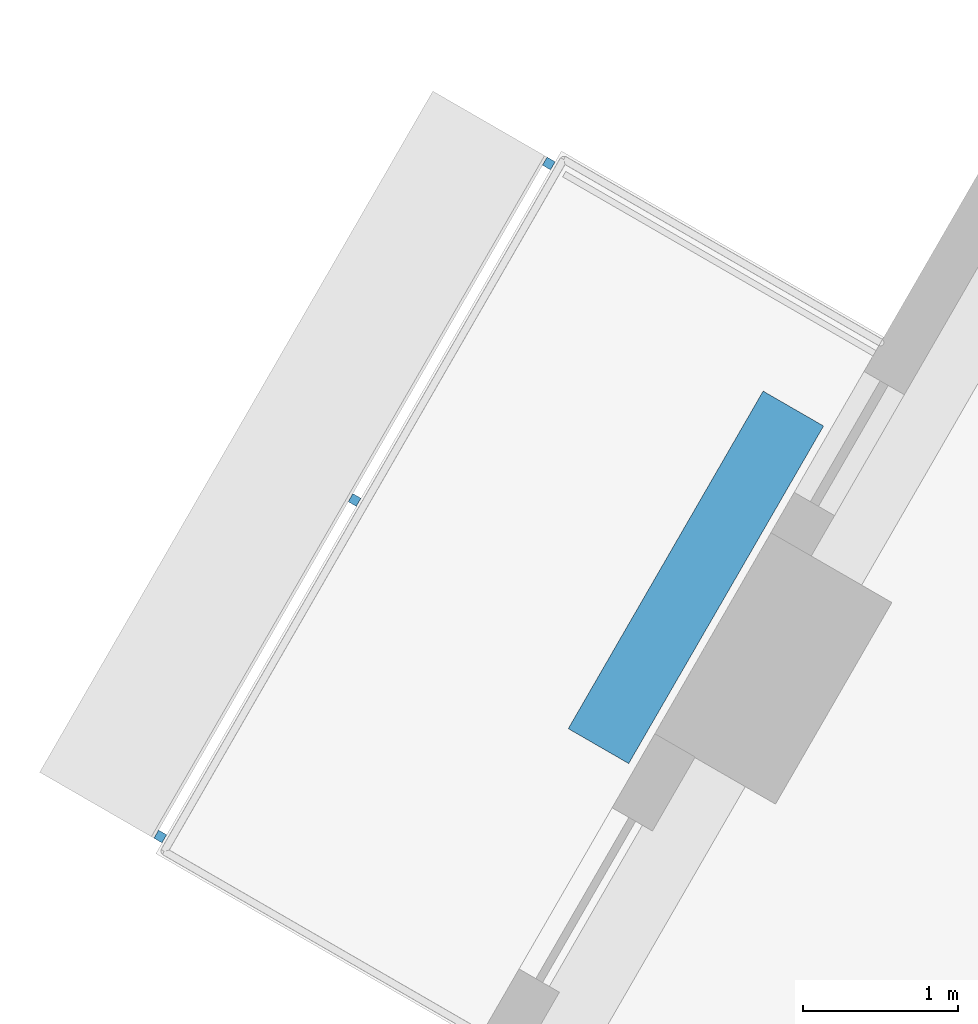
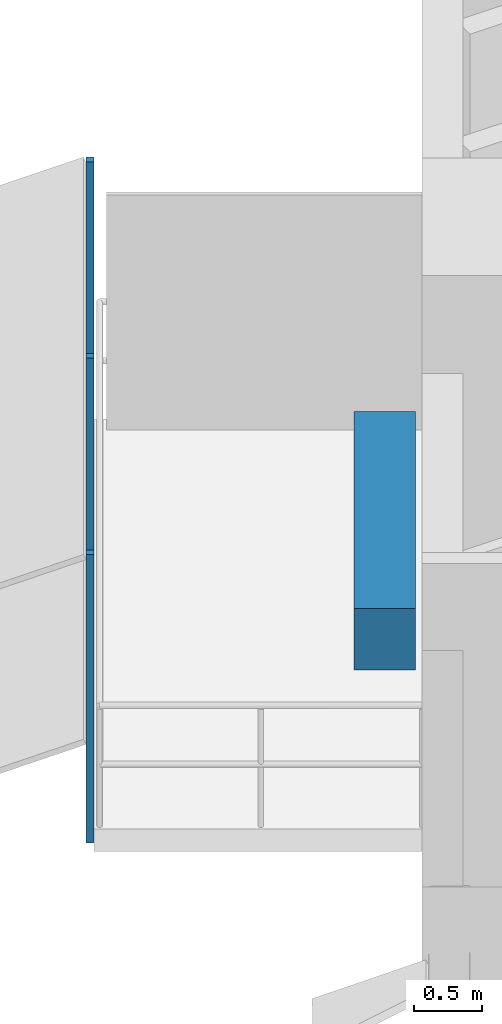
# One storey, part 10 of 13: 4 discrete accessories.
"""IFC4 building model written with IfcOpenShell, lengths in metres."""

from ifc_helpers import new_model, si_unit, direction, frame, origin, origin_2d, place, context, subcontext, project, spatial, rectangle, extrude, material, type_object, element, save


model = new_model("IFC4")

# Units and contexts
model_context = context("Model", 3, precision=1e-05, world=origin(), true_north=direction((0.0, 1.0)))
body_context = subcontext(model_context, "Body", "Model", "MODEL_VIEW")
ifc_project = project(units=[si_unit("LENGTHUNIT", "METRE"), si_unit("AREAUNIT", "SQUARE_METRE"), si_unit("VOLUMEUNIT", "CUBIC_METRE"), si_unit("PLANEANGLEUNIT", "RADIAN"), si_unit("MASSUNIT", "GRAM", prefix="KILO")], contexts=[model_context])

# Site, building, storey
site_placement = place(None, origin())
site = spatial("IfcSite", under=ifc_project, at=site_placement, CompositionType="ELEMENT")
building_placement = place(site_placement, origin())
building = spatial("IfcBuilding", under=site, at=building_placement, Name="Nakaniwa Court", CompositionType="ELEMENT")
storey_placement = place(building_placement, frame((0.0, 0.0, 44.699951171875)))
storey = spatial("IfcBuildingStorey", under=building, at=storey_placement, Name="L11", CompositionType="ELEMENT", Elevation=44.699951171875)

# Discrete accessories
ifc_material_1 = material(Name="Black powder-coated steel bracket S275", Category="steel")
discrete_accessory_type_1 = type_object("IfcDiscreteAccessoryType", Name="Black metal louvre bracket", PredefinedType="BRACKET", material=ifc_material_1)
for number, where, z_axis, x_axis, name in (
    (1, (58.2451171875, 95.1796875, -0.229736328125), (0.0, 0.0, 1.0), (-0.499974304289, -0.866040238702, 0.0), "L11 louvre bracket 01 1"),
    (2, (56.992919921875, 93.010498046875, -0.229736328125), (0.0, 0.0, 1.0), (-0.499974304289, -0.866040238702, 0.0), "L11 louvre bracket 01 2"),
    (3, (55.740478515625, 90.84130859375, -0.229736328125), (0.0, 0.0, 1.0), (-0.499974304289, -0.866040238702, 0.0), "L11 louvre bracket 01 3"),
):
    element("IfcDiscreteAccessory", number, at=place(storey_placement, frame(where, z_axis=z_axis, x_axis=x_axis)), inside=storey, type_object=discrete_accessory_type_1, Name=name, PredefinedType="BRACKET", context=body_context, shape_type="SweptSolid", body=[
        extrude(rectangle(XDim=0.06005859375, YDim=0.06005859375, at=origin_2d()), origin(), (0.0, 0.0, 1.0), 2.5751953125),
    ])
ifc_material_2 = material(Name="Precast concrete C40/50 planter with planted soil", Category="concrete")
discrete_accessory_type_2 = type_object("IfcDiscreteAccessoryType", Name="Planter box charcoal concrete", PredefinedType="USERDEFINED", material=ifc_material_2)
discrete_accessory_placement = place(storey_placement, frame((59.193359375, 92.511962890625, -0.0498046875), z_axis=(0.0, 0.0, 1.0), x_axis=(-0.499974304289, -0.866040238702, 0.0)))
element("IfcDiscreteAccessory", 4, at=discrete_accessory_placement, inside=storey, type_object=discrete_accessory_type_2, Name="L11 balcony PLANTER 01", ObjectType="PLANTER", PredefinedType="USERDEFINED", context=body_context, shape_type="SweptSolid", body=[
    extrude(rectangle(XDim=2.5126953125, YDim=0.449951171875, at=origin_2d()), origin(), (0.0, 0.0, 1.0), 0.550048828125),
])

save(model, "model.ifc")
